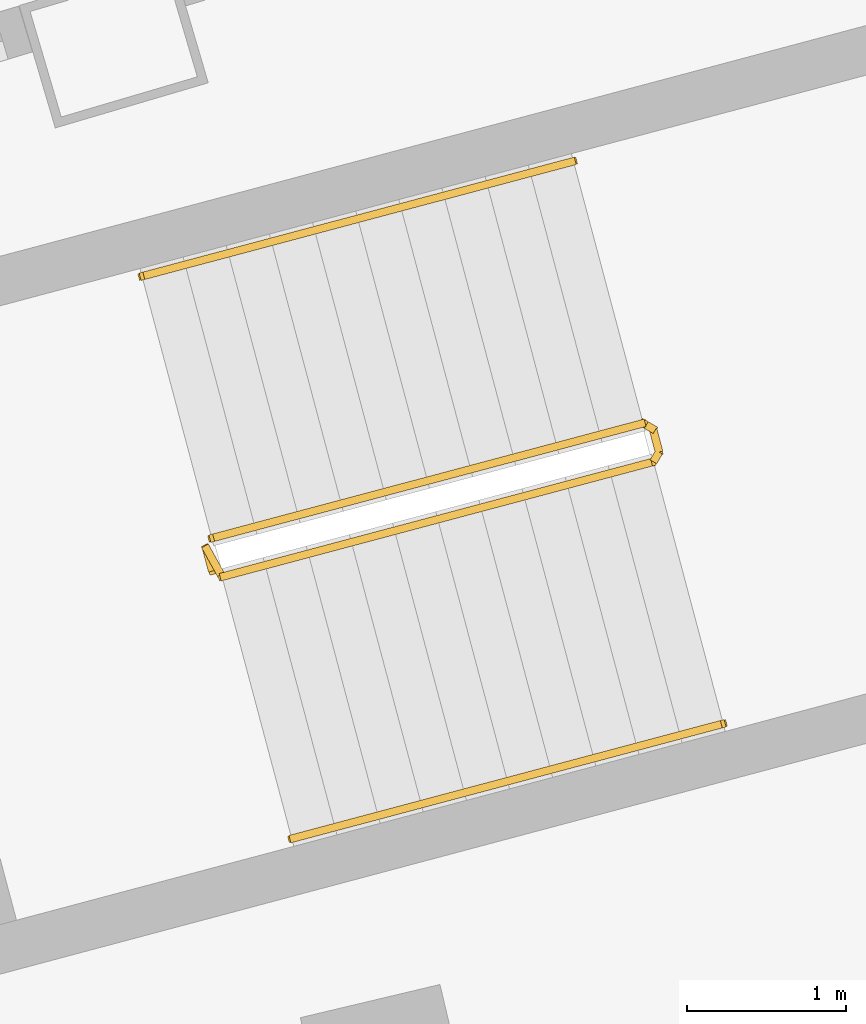
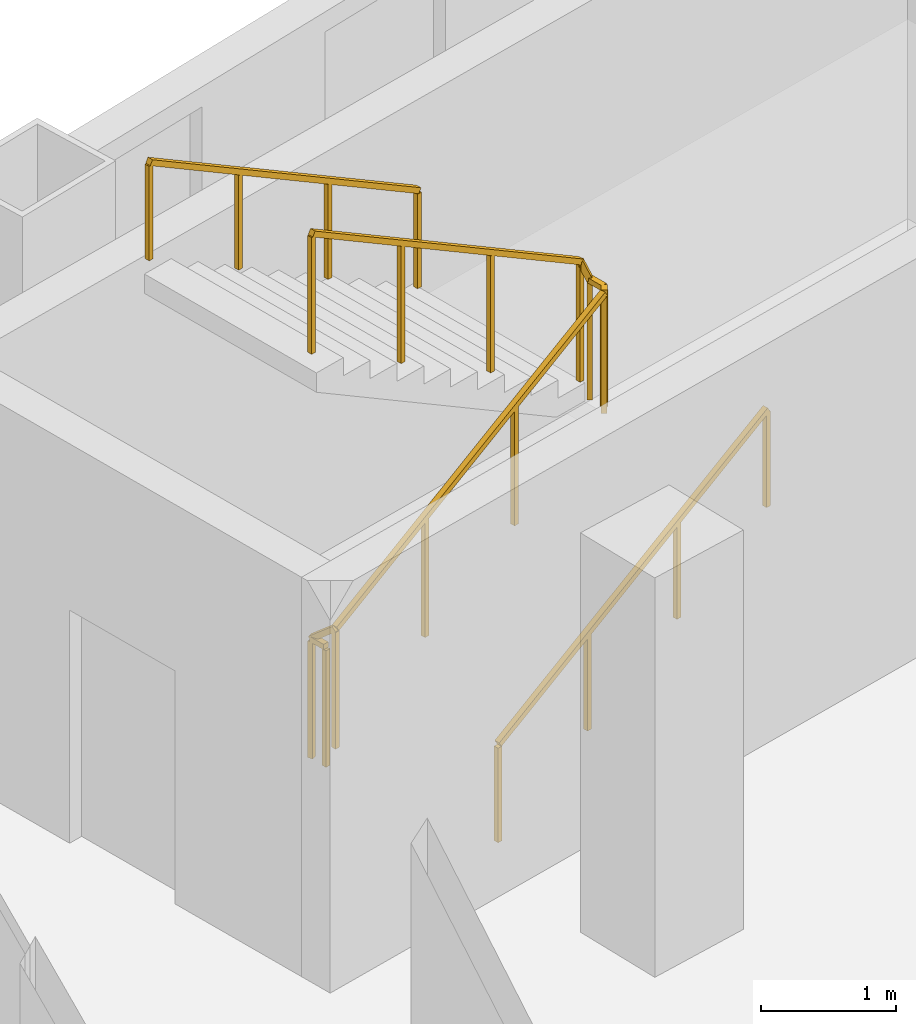
# One storey, part 20 of 20: 3 railings.
"""IFC4 building model written with IfcOpenShell, lengths in metres."""

from ifc_helpers import new_model, si_unit, direction, frame, origin, origin_2d, place, context, subcontext, project, spatial, rectangle, extrude, material, type_object, element, save


model = new_model("IFC4")

# Units and contexts
model_context = context("Model", 3, precision=1e-05, world=origin(), true_north=direction((0.0, 1.0)))
body_context = subcontext(model_context, "Body", "Model", "MODEL_VIEW")
ifc_project = project(units=[si_unit("LENGTHUNIT", "METRE"), si_unit("AREAUNIT", "SQUARE_METRE"), si_unit("VOLUMEUNIT", "CUBIC_METRE"), si_unit("PLANEANGLEUNIT", "RADIAN"), si_unit("MASSUNIT", "GRAM", prefix="KILO")], contexts=[model_context])

# Site, building, storey
site_placement = place(None, origin())
site = spatial("IfcSite", under=ifc_project, at=site_placement, CompositionType="ELEMENT")
building_placement = place(site_placement, origin())
building = spatial("IfcBuilding", under=site, at=building_placement, Name="Alderwake Tower", CompositionType="ELEMENT")
storey_placement = place(building_placement, frame((0.0, 0.0, 164.0)))
storey = spatial("IfcBuildingStorey", under=building, at=storey_placement, Name="L40", CompositionType="ELEMENT", Elevation=164.0)

# Railings
ifc_material_1 = material(Name="Stainless steel guard", Category="steel")
railing_type_1 = type_object("IfcRailingType", Name="Stair guard 1100", PredefinedType="GUARDRAIL", material=ifc_material_1)
railing_1_placement = place(storey_placement, frame((39.23291015625, 92.6806640625, 0.0)))
element("IfcRailing", 1, at=railing_1_placement, inside=storey, type_object=railing_type_1, Name="L40 ST-A stair guard 1", PredefinedType="GUARDRAIL", context=body_context, shape_type="SweptSolid", body=[
    extrude(rectangle(XDim=0.048095703125, YDim=0.048095703125, at=origin_2d()), frame((0.0, 0.0, 1.076171875), z_axis=(-0.257055032184, 0.966396766566, 0.0), x_axis=(-0.966396766566, -0.257055032184, 0.0)), (0.0, 0.0, 1.0), 0.150146484375),
    extrude(rectangle(XDim=0.048095703125, YDim=0.048095703125, at=origin_2d()), frame((-0.03857421875, 0.14501953125, 1.076171875), z_axis=(0.379370725808, -0.685464465458, 0.621463047167), x_axis=(0.874937996095, 0.484234966715, 0.0)), (0.0, 0.0, 1.0), 0.26318359375),
    extrude(rectangle(XDim=0.048095703125, YDim=0.048095703125, at=origin_2d()), frame((0.061279296875, -0.035400390625, 1.23974609375), z_axis=(0.834258940753, 0.22222815314, 0.504605457487), x_axis=(-0.257402139082, 0.966304371715, 0.0)), (0.0, 0.0, 1.0), 3.2431640625),
    extrude(rectangle(XDim=0.048095703125, YDim=0.048095703125, at=origin_2d()), frame((2.766845703125, 0.685302734375, 2.8759765625), z_axis=(0.500220121494, 0.865898279276, 0.0), x_axis=(-0.865898279276, 0.500220121494, 0.0)), (0.0, 0.0, 1.0), 0.07080078125),
    extrude(rectangle(XDim=0.048095703125, YDim=0.048095703125, at=origin_2d()), frame((2.80224609375, 0.74658203125, 2.8759765625), z_axis=(-0.257459803502, 0.966289009345, 0.0), x_axis=(-0.966289009345, -0.257459803502, 0.0)), (0.0, 0.0, 1.0), 0.14990234375),
    extrude(rectangle(XDim=0.048095703125, YDim=0.048095703125, at=origin_2d()), frame((2.763671875, 0.891357421875, 2.8759765625), z_axis=(-0.34252489212, 0.200034536998, 0.917966710881), x_axis=(-0.504300490226, -0.863528236688, 0.0)), (0.0, 0.0, 1.0), 0.17822265625),
    extrude(rectangle(XDim=0.048095703125, YDim=0.048095703125, at=origin_2d()), frame((2.70263671875, 0.927001953125, 3.03955078125), z_axis=(-0.834281824786, -0.222214197128, 0.504573768072), x_axis=(0.257380452725, -0.966310148221, 0.0)), (0.0, 0.0, 1.0), 3.2431640625),
    extrude(rectangle(XDim=0.0419921875, YDim=0.0419921875, at=origin_2d()), frame((0.0, 0.0, 0.0), z_axis=(0.0, 0.0, 1.0), x_axis=(-0.257055032184, 0.966396766566, 0.0)), (0.0, 0.0, 1.0), 1.052001953125),
    extrude(rectangle(XDim=0.0419921875, YDim=0.0419921875, at=origin_2d()), frame((-0.03857421875, 0.14501953125, 0.0), z_axis=(0.0, 0.0, 1.0), x_axis=(0.484234966715, -0.874937996095, 0.0)), (0.0, 0.0, 1.0), 1.052001953125),
    extrude(rectangle(XDim=0.0419921875, YDim=0.0419921875, at=origin_2d()), frame((0.061279296875, -0.035400390625, 0.16357421875), z_axis=(0.0, 0.0, 1.0), x_axis=(0.966304371715, 0.257402139082, 0.0)), (0.0, 0.0, 1.0), 1.052001953125),
    extrude(rectangle(XDim=0.0419921875, YDim=0.0419921875, at=origin_2d()), frame((0.963134765625, 0.204833984375, 0.708984375), z_axis=(0.0, 0.0, 1.0), x_axis=(0.966304371715, 0.257402139082, 0.0)), (0.0, 0.0, 1.0), 1.052001953125),
    extrude(rectangle(XDim=0.0419921875, YDim=0.0419921875, at=origin_2d()), frame((1.864990234375, 0.445068359375, 1.254638671875), z_axis=(0.0, 0.0, 1.0), x_axis=(0.966304371715, 0.257402139082, 0.0)), (0.0, 0.0, 1.0), 1.052001953125),
    extrude(rectangle(XDim=0.0419921875, YDim=0.0419921875, at=origin_2d()), frame((2.766845703125, 0.685302734375, 1.800048828125), z_axis=(0.0, 0.0, 1.0), x_axis=(0.500220121494, 0.865898279276, 0.0)), (0.0, 0.0, 1.0), 1.052001953125),
    extrude(rectangle(XDim=0.0419921875, YDim=0.0419921875, at=origin_2d()), frame((2.80224609375, 0.74658203125, 1.800048828125), z_axis=(0.0, 0.0, 1.0), x_axis=(-0.257459803502, 0.966289009345, 0.0)), (0.0, 0.0, 1.0), 1.052001953125),
    extrude(rectangle(XDim=0.0419921875, YDim=0.0419921875, at=origin_2d()), frame((2.763671875, 0.891357421875, 1.800048828125), z_axis=(0.0, 0.0, 1.0), x_axis=(-0.863528236688, 0.504300490226, 0.0)), (0.0, 0.0, 1.0), 1.052001953125),
    extrude(rectangle(XDim=0.0419921875, YDim=0.0419921875, at=origin_2d()), frame((2.70263671875, 0.927001953125, 1.963623046875), z_axis=(0.0, 0.0, 1.0), x_axis=(-0.966310148221, -0.257380452725, 0.0)), (0.0, 0.0, 1.0), 1.052001953125),
    extrude(rectangle(XDim=0.0419921875, YDim=0.0419921875, at=origin_2d()), frame((1.80078125, 0.686767578125, 2.509033203125), z_axis=(0.0, 0.0, 1.0), x_axis=(-0.966310148221, -0.257380452725, 0.0)), (0.0, 0.0, 1.0), 1.052001953125),
    extrude(rectangle(XDim=0.0419921875, YDim=0.0419921875, at=origin_2d()), frame((0.898681640625, 0.446533203125, 3.0546875), z_axis=(0.0, 0.0, 1.0), x_axis=(-0.966310148221, -0.257380452725, 0.0)), (0.0, 0.0, 1.0), 1.052001953125),
    extrude(rectangle(XDim=0.0419921875, YDim=0.0419921875, at=origin_2d()), frame((-0.003173828125, 0.206298828125, 3.60009765625), z_axis=(0.0, 0.0, 1.0), x_axis=(-0.966310148221, -0.257380452725, 0.0)), (0.0, 0.0, 1.0), 1.052001953125),
])
ifc_material_2 = material(Name="Stainless steel handrail", Category="steel")
railing_type_2 = type_object("IfcRailingType", Name="Stair handrail 900", PredefinedType="HANDRAIL", material=ifc_material_2)
railing_2_placement = place(storey_placement, frame((39.731689453125, 91.002685546875, 0.16357421875)))
element("IfcRailing", 2, at=railing_2_placement, inside=storey, type_object=railing_type_2, Name="L40 ST-A stair handrail 1", PredefinedType="HANDRAIL", context=body_context, shape_type="SweptSolid", body=[
    extrude(rectangle(XDim=0.048095703125, YDim=0.048095703125, at=origin_2d()), frame((0.0, 0.0, 0.8759765625), z_axis=(0.834258940753, 0.22222815314, 0.504605457487), x_axis=(-0.257402139082, 0.966304371715, 0.0)), (0.0, 0.0, 1.0), 3.2431640625),
    extrude(rectangle(XDim=0.0419921875, YDim=0.0419921875, at=origin_2d()), frame((0.0, 0.0, 0.0), z_axis=(0.0, 0.0, 1.0), x_axis=(0.966304371715, 0.257402139082, 0.0)), (0.0, 0.0, 1.0), 0.851806640625),
    extrude(rectangle(XDim=0.0419921875, YDim=0.0419921875, at=origin_2d()), frame((0.90185546875, 0.240234375, 0.54541015625), z_axis=(0.0, 0.0, 1.0), x_axis=(0.966304371715, 0.257402139082, 0.0)), (0.0, 0.0, 1.0), 0.851806640625),
    extrude(rectangle(XDim=0.0419921875, YDim=0.0419921875, at=origin_2d()), frame((1.8037109375, 0.48046875, 1.091064453125), z_axis=(0.0, 0.0, 1.0), x_axis=(0.966304371715, 0.257402139082, 0.0)), (0.0, 0.0, 1.0), 0.851806640625),
    extrude(rectangle(XDim=0.0419921875, YDim=0.0419921875, at=origin_2d()), frame((2.70556640625, 0.720703125, 1.636474609375), z_axis=(0.0, 0.0, 1.0), x_axis=(0.966304371715, 0.257402139082, 0.0)), (0.0, 0.0, 1.0), 0.851806640625),
])
railing_3_placement = place(storey_placement, frame((41.497802734375, 95.250244140625, 1.963623046875)))
element("IfcRailing", 3, at=railing_3_placement, inside=storey, type_object=railing_type_2, Name="L40 ST-A stair handrail 2", PredefinedType="HANDRAIL", context=body_context, shape_type="SweptSolid", body=[
    extrude(rectangle(XDim=0.048095703125, YDim=0.048095703125, at=origin_2d()), frame((0.0, 0.0, 0.8759765625), z_axis=(-0.834258940753, -0.22222815314, 0.504605457487), x_axis=(0.257402139082, -0.966304371715, 0.0)), (0.0, 0.0, 1.0), 3.2431640625),
    extrude(rectangle(XDim=0.0419921875, YDim=0.0419921875, at=origin_2d()), frame((0.0, 0.0, 0.0), z_axis=(0.0, 0.0, 1.0), x_axis=(-0.966304371715, -0.257402139082, 0.0)), (0.0, 0.0, 1.0), 0.851806640625),
    extrude(rectangle(XDim=0.0419921875, YDim=0.0419921875, at=origin_2d()), frame((-0.90185546875, -0.240234375, 0.54541015625), z_axis=(0.0, 0.0, 1.0), x_axis=(-0.966304371715, -0.257402139082, 0.0)), (0.0, 0.0, 1.0), 0.851806640625),
    extrude(rectangle(XDim=0.0419921875, YDim=0.0419921875, at=origin_2d()), frame((-1.8037109375, -0.48046875, 1.091064453125), z_axis=(0.0, 0.0, 1.0), x_axis=(-0.966304371715, -0.257402139082, 0.0)), (0.0, 0.0, 1.0), 0.851806640625),
    extrude(rectangle(XDim=0.0419921875, YDim=0.0419921875, at=origin_2d()), frame((-2.70556640625, -0.720703125, 1.636474609375), z_axis=(0.0, 0.0, 1.0), x_axis=(-0.966304371715, -0.257402139082, 0.0)), (0.0, 0.0, 1.0), 0.851806640625),
])

save(model, "model.ifc")
